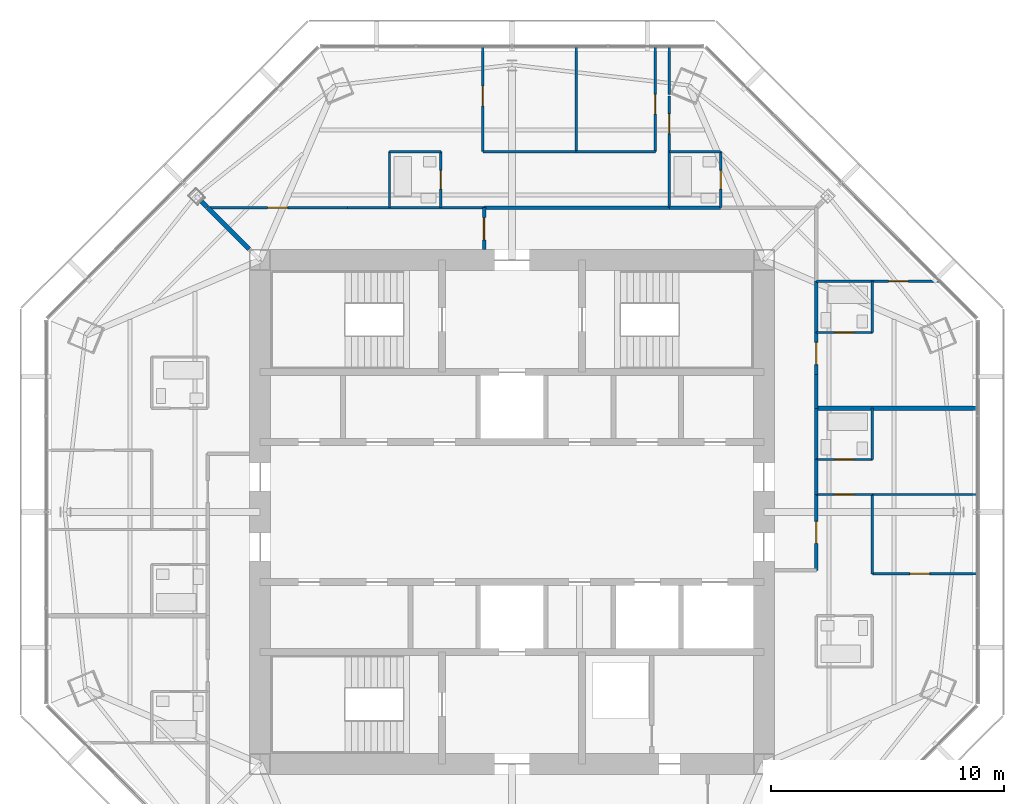
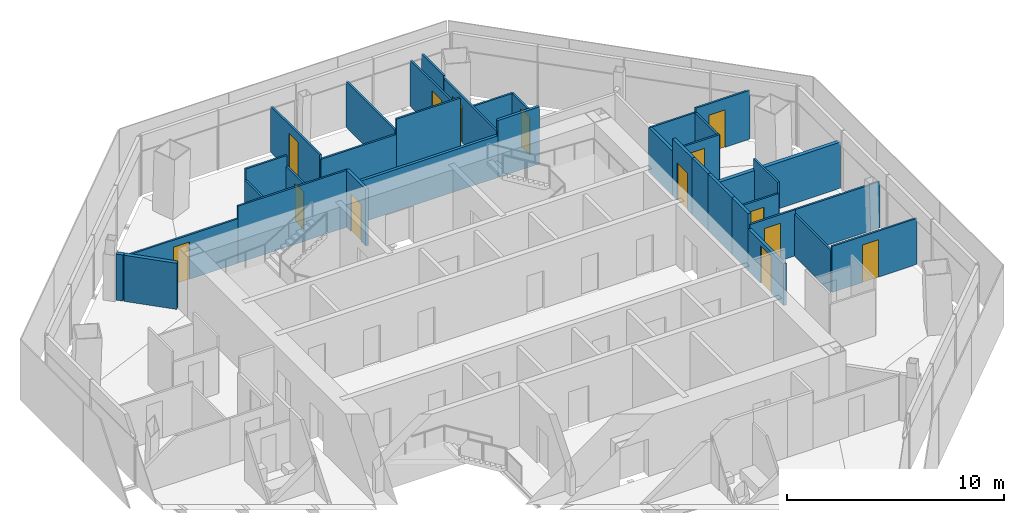
# One storey, part 11 of 14: 36 walls, 14 doors, 14 openings.
"""IFC4 building model written with IfcOpenShell, lengths in metres."""

from ifc_helpers import new_model, si_unit, direction, frame, frame_2d, origin, place, context, subcontext, project, spatial, rectangle, extrude, material, layer, layer_set, type_object, element, fill, save


model = new_model("IFC4")

# Units and contexts
model_context = context("Model", 3, precision=1e-05, world=origin(), true_north=direction((0.0, 1.0)))
body_context = subcontext(model_context, "Body", "Model", "MODEL_VIEW")
ifc_project = project(units=[si_unit("LENGTHUNIT", "METRE"), si_unit("AREAUNIT", "SQUARE_METRE"), si_unit("VOLUMEUNIT", "CUBIC_METRE"), si_unit("PLANEANGLEUNIT", "RADIAN"), si_unit("MASSUNIT", "GRAM", prefix="KILO")], contexts=[model_context])

# Site, building, storey
site_placement = place(None, origin())
site = spatial("IfcSite", under=ifc_project, at=site_placement, CompositionType="ELEMENT")
building_placement = place(site_placement, origin())
building = spatial("IfcBuilding", under=site, at=building_placement, Name="Mashrafa Tower", CompositionType="ELEMENT")
storey_placement = place(building_placement, frame((0.0, 0.0, 284.39990234375)))
storey = spatial("IfcBuildingStorey", under=building, at=storey_placement, Name="L69", CompositionType="ELEMENT", Elevation=284.39990234375)

# Walls
ifc_material_1 = material(Name="Gypsum board on steel studs", Category="steel")
ifc_layer_1 = layer(ifc_material_1, 0.199951171875)
ifc_layer_set_1 = layer_set([ifc_layer_1], Name="Acoustic partition 200 1 hr")
wall_type_1 = type_object("IfcWallType", Name="Acoustic partition 200 1 hr", PredefinedType="PARTITIONING", material=ifc_layer_set_1)
wall_1_placement = place(storey_placement, frame((13.050048828125, 4.449951171875, 0.0), z_axis=(0.0, 0.0, 1.0), x_axis=(1.0, 0.0, 0.0)))
element("IfcWall", 1, at=wall_1_placement, inside=storey, type_object=wall_type_1, Name="Acoustic wall L69-043", PredefinedType="PARTITIONING", context=body_context, shape_type="SweptSolid", body=[
    extrude(rectangle(XDim=6.9013671875, YDim=0.199951171875, at=frame_2d((3.45068359375, 0.0))), origin(), (0.0, 0.0, 1.0), 2.590576171875),
])
wall_2_placement = place(storey_placement, frame((-13.314208984375, 13.314208984375, 0.0), z_axis=(0.0, 0.0, 1.0), x_axis=(0.707106781187, -0.707106781187, 0.0)))
element("IfcWall", 2, at=wall_2_placement, inside=storey, type_object=wall_type_1, Name="Acoustic wall L69-065", PredefinedType="PARTITIONING", context=body_context, shape_type="SweptSolid", body=[
    extrude(rectangle(XDim=0.337646484375, YDim=0.199951171875, at=frame_2d((0.1689453125, 0.0))), origin(), (0.0, 0.0, 1.0), 2.590576171875),
])
wall_3_placement = place(storey_placement, frame((-11.26904296875, 11.26904296875, 0.0), z_axis=(0.0, 0.0, 1.0), x_axis=(-0.707106781187, 0.707106781187, 0.0)))
element("IfcWall", 3, at=wall_3_placement, inside=storey, type_object=wall_type_1, Name="Acoustic wall L69-080", PredefinedType="PARTITIONING", context=body_context, shape_type="SweptSolid", body=[
    extrude(rectangle(XDim=2.52001953125, YDim=0.199951171875, at=frame_2d((1.260009765625, 0.0))), origin(), (0.0, 0.0, 1.0), 2.590576171875),
])
ifc_material_2 = material(Name="Gypsum board on steel studs", Category="steel")
ifc_layer_2 = layer(ifc_material_2, 0.14990234375)
ifc_layer_set_2 = layer_set([ifc_layer_2], Name="Corridor partition 150 1 hr")
wall_type_2 = type_object("IfcWallType", Name="Corridor partition 150 1 hr", PredefinedType="PARTITIONING", material=ifc_layer_set_2)
wall_4_placement = place(storey_placement, frame((13.050048828125, 2.2490234375, 0.0), z_axis=(0.0, 0.0, 1.0), x_axis=(0.0, 1.0, 0.0)))
element("IfcWall", 4, at=wall_4_placement, inside=storey, type_object=wall_type_2, Name="Corridor wall L69-001", PredefinedType="PARTITIONING", context=body_context, shape_type="SweptSolid", body=[
    extrude(rectangle(XDim=2.201904296875, YDim=0.14990234375, at=frame_2d((1.10107421875, 0.0))), origin(), (0.0, 0.0, 1.0), 3.2001953125),
])
wall_5_placement = place(storey_placement, frame((13.050048828125, 0.7490234375, 0.0), z_axis=(0.0, 0.0, 1.0), x_axis=(0.0, 1.0, 0.0)))
element("IfcWall", 5, at=wall_5_placement, inside=storey, type_object=wall_type_2, Name="Corridor wall L69-002", PredefinedType="PARTITIONING", context=body_context, shape_type="SweptSolid", body=[
    extrude(rectangle(XDim=1.501953125, YDim=0.14990234375, at=frame_2d((0.7509765625, 0.0))), origin(), (0.0, 0.0, 1.0), 3.2001953125),
])

# Wall, opening, door
wall_6_placement = place(storey_placement, frame((13.050048828125, -2.5, 0.0), z_axis=(0.0, 0.0, 1.0), x_axis=(0.0, 1.0, 0.0)))
wall_6 = element("IfcWall", 6, at=wall_6_placement, inside=storey, type_object=wall_type_2, Name="Corridor wall L69-004", PredefinedType="PARTITIONING", context=body_context, shape_type="SweptSolid", body=[
    extrude(rectangle(XDim=3.2509765625, YDim=0.14990234375, at=frame_2d((1.62548828125, 0.0))), origin(), (0.0, 0.0, 1.0), 2.349365234375),
])
opening_1_placement = place(wall_6_placement, frame((1.150390625, 0.0, 0.0)))
opening_1 = element("IfcOpeningElement", 7, at=opening_1_placement, cuts=wall_6, Name="Opening 69.007", PredefinedType="OPENING", context=body_context, shape_type="SweptSolid", body=[
    extrude(rectangle(XDim=0.949951171875, YDim=2.10009765625, at=frame_2d((0.47509765625, 1.050048828125))), frame((0.0, 0.0849609375, 0.0), z_axis=(0.0, -1.0, 0.0), x_axis=(1.0, 0.0, 0.0)), (0.0, 0.0, 1.0), 0.169921875),
])
ifc_material_3 = material(Name="Steel door", Category="steel")
door_type_1 = type_object("IfcDoorType", Name="Residence entrance door 950 x 2100 20 min", OperationType="USERDEFINED", PredefinedType="DOOR", material=ifc_material_3)
door_1_placement = place(opening_1_placement, frame((0.949951171875, 0.0, 0.0), z_axis=(0.0, 0.0, 1.0), x_axis=(-1.0, 0.0, 0.0)))
door_1 = element("IfcDoor", 8, at=door_1_placement, inside=storey, type_object=door_type_1, Name="Apartment 6901 Living Room door", OperationType="SINGLE_SWING_LEFT", OverallHeight=2.10009765625, OverallWidth=0.949951171875, PredefinedType="DOOR", context=body_context, shape_type="SweptSolid", body=[
    extrude(rectangle(XDim=0.949951171875, YDim=2.10009765625, at=frame_2d((0.47509765625, 1.050048828125))), frame((0.0, 0.02490234375, 0.0), z_axis=(0.0, -1.0, 0.0), x_axis=(1.0, 0.0, 0.0)), (0.0, 0.0, 1.0), 0.050048828125),
])
fill(opening_1, door_1)

# Walls
wall_7_placement = place(storey_placement, frame((13.050048828125, 7.698974609375, 0.0), z_axis=(0.0, 0.0, 1.0), x_axis=(0.0, 1.0, 0.0)))
element("IfcWall", 9, at=wall_7_placement, inside=storey, type_object=wall_type_2, Name="Corridor wall L69-006", PredefinedType="PARTITIONING", context=body_context, shape_type="SweptSolid", body=[
    extrude(rectangle(XDim=2.201904296875, YDim=0.14990234375, at=frame_2d((1.10107421875, 0.0))), origin(), (0.0, 0.0, 1.0), 2.49658203125),
])
wall_8_placement = place(storey_placement, frame((13.050048828125, 4.448974609375, 0.0), z_axis=(0.0, 0.0, 1.0), x_axis=(0.0, 1.0, 0.0)))
element("IfcWall", 10, at=wall_8_placement, inside=storey, type_object=wall_type_2, Name="Corridor wall L69-007", PredefinedType="PARTITIONING", context=body_context, shape_type="SweptSolid", body=[
    extrude(rectangle(XDim=1.451904296875, YDim=0.14990234375, at=frame_2d((0.72607421875, 0.0))), origin(), (0.0, 0.0, 1.0), 3.2001953125),
])

# Wall, opening, door
wall_9_placement = place(storey_placement, frame((13.050048828125, 5.89892578125, 0.0), z_axis=(0.0, 0.0, 1.0), x_axis=(0.0, 1.0, 0.0)))
wall_9 = element("IfcWall", 11, at=wall_9_placement, inside=storey, type_object=wall_type_2, Name="Corridor wall L69-008", PredefinedType="PARTITIONING", context=body_context, shape_type="SweptSolid", body=[
    extrude(rectangle(XDim=1.802001953125, YDim=0.14990234375, at=frame_2d((0.90087890625, 0.0))), origin(), (0.0, 0.0, 1.0), 3.2001953125),
])
opening_2_placement = place(wall_9_placement, frame((0.426025390625, 0.0, 0.0)))
opening_2 = element("IfcOpeningElement", 12, at=opening_2_placement, cuts=wall_9, Name="Opening 69.010", PredefinedType="OPENING", context=body_context, shape_type="SweptSolid", body=[
    extrude(rectangle(XDim=0.949951171875, YDim=2.10009765625, at=frame_2d((0.47509765625, 1.050048828125))), frame((0.0, 0.0849609375, 0.0), z_axis=(0.0, -1.0, 0.0), x_axis=(1.0, 0.0, 0.0)), (0.0, 0.0, 1.0), 0.169921875),
])
door_2_placement = place(opening_2_placement, frame((0.949951171875, 0.0, 0.0), z_axis=(0.0, 0.0, 1.0), x_axis=(-1.0, 0.0, 0.0)))
door_2 = element("IfcDoor", 13, at=door_2_placement, inside=storey, type_object=door_type_1, Name="Apartment 6902 Living Room door", OperationType="SINGLE_SWING_RIGHT", OverallHeight=2.10009765625, OverallWidth=0.949951171875, PredefinedType="DOOR", context=body_context, shape_type="SweptSolid", body=[
    extrude(rectangle(XDim=0.949951171875, YDim=2.10009765625, at=frame_2d((0.47509765625, 1.050048828125))), frame((0.0, 0.02490234375, 0.0), z_axis=(0.0, -1.0, 0.0), x_axis=(1.0, 0.0, 0.0)), (0.0, 0.0, 1.0), 0.050048828125),
])
fill(opening_2, door_2)

# Walls
wall_10_placement = place(storey_placement, frame((8.950927734375, 13.050048828125, 0.0), z_axis=(0.0, 0.0, 1.0), x_axis=(-1.0, 0.0, 0.0)))
element("IfcWall", 14, at=wall_10_placement, inside=storey, type_object=wall_type_2, Name="Corridor wall L69-009", PredefinedType="PARTITIONING", context=body_context, shape_type="SweptSolid", body=[
    extrude(rectangle(XDim=2.201904296875, YDim=0.14990234375, at=frame_2d((1.10107421875, 0.0))), origin(), (0.0, 0.0, 1.0), 3.2001953125),
])
wall_11_placement = place(storey_placement, frame((6.7509765625, 13.050048828125, 0.0), z_axis=(0.0, 0.0, 1.0), x_axis=(-1.0, 0.0, 0.0)))
element("IfcWall", 15, at=wall_11_placement, inside=storey, type_object=wall_type_2, Name="Corridor wall L69-011", PredefinedType="PARTITIONING", context=body_context, shape_type="SweptSolid", body=[
    extrude(rectangle(XDim=7.950927734375, YDim=0.14990234375, at=frame_2d((3.9755859375, 0.0))), origin(), (0.0, 0.0, 1.0), 2.349365234375),
])

# Wall, opening, door
wall_12_placement = place(storey_placement, frame((-1.199951171875, 13.050048828125, 0.0), z_axis=(0.0, 0.0, 1.0), x_axis=(0.0, -1.0, 0.0)))
wall_12 = element("IfcWall", 16, at=wall_12_placement, inside=storey, type_object=wall_type_2, Name="Corridor wall L69-012", PredefinedType="PARTITIONING", context=body_context, shape_type="SweptSolid", body=[
    extrude(rectangle(XDim=1.800048828125, YDim=0.14990234375, at=frame_2d((0.89990234375, 0.0))), origin(), (0.0, 0.0, 1.0), 3.2001953125),
])
opening_3_placement = place(wall_12_placement, frame((0.425048828125, 0.0, 0.0)))
opening_3 = element("IfcOpeningElement", 17, at=opening_3_placement, cuts=wall_12, Name="Opening 69.030", PredefinedType="OPENING", context=body_context, shape_type="SweptSolid", body=[
    extrude(rectangle(XDim=0.949951171875, YDim=2.10009765625, at=frame_2d((0.47509765625, 1.050048828125))), frame((0.0, 0.0849609375, 0.0), z_axis=(0.0, -1.0, 0.0), x_axis=(1.0, 0.0, 0.0)), (0.0, 0.0, 1.0), 0.169921875),
])
door_3_placement = place(opening_3_placement, origin())
door_3 = element("IfcDoor", 18, at=door_3_placement, inside=storey, type_object=door_type_1, Name="Apartment 6903 Entrance Hall door", OperationType="SINGLE_SWING_LEFT", OverallHeight=2.10009765625, OverallWidth=0.949951171875, PredefinedType="DOOR", context=body_context, shape_type="SweptSolid", body=[
    extrude(rectangle(XDim=0.949951171875, YDim=2.10009765625, at=frame_2d((0.47509765625, 1.050048828125))), frame((0.0, 0.02490234375, 0.0), z_axis=(0.0, -1.0, 0.0), x_axis=(1.0, 0.0, 0.0)), (0.0, 0.0, 1.0), 0.050048828125),
])
fill(opening_3, door_3)

# Walls
ifc_material_4 = material(Name="Gypsum board on steel studs", Category="steel")
ifc_layer_3 = layer(ifc_material_4, 0.10009765625)
ifc_layer_set_3 = layer_set([ifc_layer_3], Name="Partition 100")
wall_type_3 = type_object("IfcWallType", Name="Partition 100", PredefinedType="PARTITIONING", material=ifc_layer_set_3)
wall_13_placement = place(storey_placement, frame((2.75, 19.951416015625, 0.0), z_axis=(0.0, 0.0, 1.0), x_axis=(0.0, -1.0, 0.0)))
element("IfcWall", 19, at=wall_13_placement, inside=storey, type_object=wall_type_3, Name="Partition wall L69-028", PredefinedType="PARTITIONING", context=body_context, shape_type="SweptSolid", body=[
    extrude(rectangle(XDim=4.50146484375, YDim=0.10009765625, at=frame_2d((2.250732421875, 0.0))), origin(), (0.0, 0.0, 1.0), 2.590576171875),
])
wall_14_placement = place(storey_placement, frame((2.75, 15.449951171875, 0.0), z_axis=(0.0, 0.0, 1.0), x_axis=(1.0, 0.0, 0.0)))
element("IfcWall", 20, at=wall_14_placement, inside=storey, type_object=wall_type_3, Name="Partition wall L69-029", PredefinedType="PARTITIONING", context=body_context, shape_type="SweptSolid", body=[
    extrude(rectangle(XDim=3.39990234375, YDim=0.10009765625, at=frame_2d((1.699951171875, 0.0))), origin(), (0.0, 0.0, 1.0), 3.2001953125),
])

# Wall, opening, door
wall_15_placement = place(storey_placement, frame((6.14990234375, 15.449951171875, 0.0), z_axis=(0.0, 0.0, 1.0), x_axis=(0.0, 1.0, 0.0)))
wall_15 = element("IfcWall", 21, at=wall_15_placement, inside=storey, type_object=wall_type_3, Name="Partition wall L69-030", PredefinedType="PARTITIONING", context=body_context, shape_type="SweptSolid", body=[
    extrude(rectangle(XDim=4.50341796875, YDim=0.10009765625, at=frame_2d((2.251708984375, 0.0))), origin(), (0.0, 0.0, 1.0), 2.590576171875),
])
opening_4_placement = place(wall_15_placement, frame((1.609619140625, 0.0, 0.0)))
opening_4 = element("IfcOpeningElement", 22, at=opening_4_placement, cuts=wall_15, Name="Opening 69.001", PredefinedType="OPENING", context=body_context, shape_type="SweptSolid", body=[
    extrude(rectangle(XDim=0.85009765625, YDim=2.10009765625, at=frame_2d((0.425048828125, 1.050048828125))), frame((0.0, 0.06005859375, 0.0), z_axis=(0.0, -1.0, 0.0), x_axis=(1.0, 0.0, 0.0)), (0.0, 0.0, 1.0), 0.1201171875),
])
ifc_material_5 = material(Name="Timber door", Category="wood")
door_type_2 = type_object("IfcDoorType", Name="Bedroom door 850 x 2100", OperationType="USERDEFINED", PredefinedType="DOOR", material=ifc_material_5)
door_4_placement = place(opening_4_placement, origin())
door_4 = element("IfcDoor", 23, at=door_4_placement, inside=storey, type_object=door_type_2, Name="Apartment 6903 Dining Room door", OperationType="SINGLE_SWING_LEFT", OverallHeight=2.10009765625, OverallWidth=0.85009765625, PredefinedType="DOOR", context=body_context, shape_type="SweptSolid", body=[
    extrude(rectangle(XDim=0.85009765625, YDim=2.10009765625, at=frame_2d((0.425048828125, 1.050048828125))), frame((0.0, 0.02490234375, 0.0), z_axis=(0.0, -1.0, 0.0), x_axis=(1.0, 0.0, 0.0)), (0.0, 0.0, 1.0), 0.050048828125),
])
fill(opening_4, door_4)

# Walls
wall_16_placement = place(storey_placement, frame((19.951416015625, 0.75, 0.0), z_axis=(0.0, 0.0, 1.0), x_axis=(-1.0, 0.0, 0.0)))
element("IfcWall", 24, at=wall_16_placement, inside=storey, type_object=wall_type_3, Name="Partition wall L69-038", PredefinedType="PARTITIONING", context=body_context, shape_type="SweptSolid", body=[
    extrude(rectangle(XDim=4.50146484375, YDim=0.10009765625, at=frame_2d((2.250732421875, 0.0))), origin(), (0.0, 0.0, 1.0), 2.590576171875),
])
wall_17_placement = place(storey_placement, frame((15.449951171875, 0.75, 0.0), z_axis=(0.0, 0.0, 1.0), x_axis=(0.0, -1.0, 0.0)))
element("IfcWall", 25, at=wall_17_placement, inside=storey, type_object=wall_type_3, Name="Partition wall L69-039", PredefinedType="PARTITIONING", context=body_context, shape_type="SweptSolid", body=[
    extrude(rectangle(XDim=3.39990234375, YDim=0.10009765625, at=frame_2d((1.699951171875, 0.0))), origin(), (0.0, 0.0, 1.0), 2.349365234375),
])

# Wall, opening, door
wall_18_placement = place(storey_placement, frame((15.449951171875, -2.64990234375, 0.0), z_axis=(0.0, 0.0, 1.0), x_axis=(1.0, 0.0, 0.0)))
wall_18 = element("IfcWall", 26, at=wall_18_placement, inside=storey, type_object=wall_type_3, Name="Partition wall L69-040", PredefinedType="PARTITIONING", context=body_context, shape_type="SweptSolid", body=[
    extrude(rectangle(XDim=4.50341796875, YDim=0.10009765625, at=frame_2d((2.251708984375, 0.0))), origin(), (0.0, 0.0, 1.0), 2.590576171875),
])
opening_5_placement = place(wall_18_placement, frame((1.609619140625, 0.0, 0.0)))
opening_5 = element("IfcOpeningElement", 27, at=opening_5_placement, cuts=wall_18, Name="Opening 69.004", PredefinedType="OPENING", context=body_context, shape_type="SweptSolid", body=[
    extrude(rectangle(XDim=0.85009765625, YDim=2.10009765625, at=frame_2d((0.425048828125, 1.050048828125))), frame((0.0, 0.06005859375, 0.0), z_axis=(0.0, -1.0, 0.0), x_axis=(1.0, 0.0, 0.0)), (0.0, 0.0, 1.0), 0.1201171875),
])
door_5_placement = place(opening_5_placement, origin())
door_5 = element("IfcDoor", 28, at=door_5_placement, inside=storey, type_object=door_type_2, Name="Apartment 6901 Bedroom 1 door", OperationType="SINGLE_SWING_LEFT", OverallHeight=2.10009765625, OverallWidth=0.85009765625, PredefinedType="DOOR", context=body_context, shape_type="SweptSolid", body=[
    extrude(rectangle(XDim=0.85009765625, YDim=2.10009765625, at=frame_2d((0.425048828125, 1.050048828125))), frame((0.0, 0.02490234375, 0.0), z_axis=(0.0, -1.0, 0.0), x_axis=(1.0, 0.0, 0.0)), (0.0, 0.0, 1.0), 0.050048828125),
])
fill(opening_5, door_5)

wall_19_placement = place(storey_placement, frame((13.050048828125, 2.25, 0.0), z_axis=(0.0, 0.0, 1.0), x_axis=(1.0, 0.0, 0.0)))
wall_19 = element("IfcWall", 29, at=wall_19_placement, inside=storey, type_object=wall_type_3, Name="Partition wall L69-041", PredefinedType="PARTITIONING", context=body_context, shape_type="SweptSolid", body=[
    extrude(rectangle(XDim=2.39990234375, YDim=0.10009765625, at=frame_2d((1.199951171875, 0.0))), origin(), (0.0, 0.0, 1.0), 2.590576171875),
])
opening_6_placement = place(wall_19_placement, frame((0.800048828125, 0.0, 0.0)))
opening_6 = element("IfcOpeningElement", 30, at=opening_6_placement, cuts=wall_19, Name="Opening 69.005", PredefinedType="OPENING", context=body_context, shape_type="SweptSolid", body=[
    extrude(rectangle(XDim=0.800048828125, YDim=2.10009765625, at=frame_2d((0.39990234375, 1.050048828125))), frame((0.0, 0.06005859375, 0.0), z_axis=(0.0, -1.0, 0.0), x_axis=(1.0, 0.0, 0.0)), (0.0, 0.0, 1.0), 0.1201171875),
])
ifc_material_6 = material(Name="Timber door", Category="wood")
door_type_3 = type_object("IfcDoorType", Name="Bathroom door 800 x 2100", OperationType="USERDEFINED", PredefinedType="DOOR", material=ifc_material_6)
door_6_placement = place(opening_6_placement, origin())
door_6 = element("IfcDoor", 31, at=door_6_placement, inside=storey, type_object=door_type_3, Name="Apartment 6901 En-suite Bathroom door", OperationType="SINGLE_SWING_RIGHT", OverallHeight=2.10009765625, OverallWidth=0.800048828125, PredefinedType="DOOR", context=body_context, shape_type="SweptSolid", body=[
    extrude(rectangle(XDim=0.800048828125, YDim=2.10009765625, at=frame_2d((0.39990234375, 1.050048828125))), frame((0.0, 0.02490234375, 0.0), z_axis=(0.0, -1.0, 0.0), x_axis=(1.0, 0.0, 0.0)), (0.0, 0.0, 1.0), 0.050048828125),
])
fill(opening_6, door_6)

# Wall
wall_20_placement = place(storey_placement, frame((15.449951171875, 2.25, 0.0), z_axis=(0.0, 0.0, 1.0), x_axis=(0.0, 1.0, 0.0)))
element("IfcWall", 32, at=wall_20_placement, inside=storey, type_object=wall_type_3, Name="Partition wall L69-042", PredefinedType="PARTITIONING", context=body_context, shape_type="SweptSolid", body=[
    extrude(rectangle(XDim=2.199951171875, YDim=0.10009765625, at=frame_2d((1.10009765625, 0.0))), origin(), (0.0, 0.0, 1.0), 3.2001953125),
])

# Wall, opening, door
wall_21_placement = place(storey_placement, frame((13.050048828125, 0.75, 0.0), z_axis=(0.0, 0.0, 1.0), x_axis=(1.0, 0.0, 0.0)))
wall_21 = element("IfcWall", 33, at=wall_21_placement, inside=storey, type_object=wall_type_3, Name="Partition wall L69-044", PredefinedType="PARTITIONING", context=body_context, shape_type="SweptSolid", body=[
    extrude(rectangle(XDim=2.40087890625, YDim=0.10009765625, at=frame_2d((1.200439453125, 0.0))), origin(), (0.0, 0.0, 1.0), 2.590576171875),
])
opening_7_placement = place(wall_21_placement, frame((0.775390625, 0.0, 0.0)))
opening_7 = element("IfcOpeningElement", 34, at=opening_7_placement, cuts=wall_21, Name="Opening 69.006", PredefinedType="OPENING", context=body_context, shape_type="SweptSolid", body=[
    extrude(rectangle(XDim=0.85009765625, YDim=2.10009765625, at=frame_2d((0.425048828125, 1.050048828125))), frame((0.0, 0.06005859375, 0.0), z_axis=(0.0, -1.0, 0.0), x_axis=(1.0, 0.0, 0.0)), (0.0, 0.0, 1.0), 0.1201171875),
])
door_7_placement = place(opening_7_placement, origin())
door_7 = element("IfcDoor", 35, at=door_7_placement, inside=storey, type_object=door_type_2, Name="Apartment 6901 Bedroom 2 door", OperationType="SINGLE_SWING_LEFT", OverallHeight=2.10009765625, OverallWidth=0.85009765625, PredefinedType="DOOR", context=body_context, shape_type="SweptSolid", body=[
    extrude(rectangle(XDim=0.85009765625, YDim=2.10009765625, at=frame_2d((0.425048828125, 1.050048828125))), frame((0.0, 0.02490234375, 0.0), z_axis=(0.0, -1.0, 0.0), x_axis=(1.0, 0.0, 0.0)), (0.0, 0.0, 1.0), 0.050048828125),
])
fill(opening_7, door_7)

# Wall
wall_22_placement = place(storey_placement, frame((13.050048828125, 9.89990234375, 0.0), z_axis=(0.0, 0.0, 1.0), x_axis=(1.0, 0.0, 0.0)))
element("IfcWall", 36, at=wall_22_placement, inside=storey, type_object=wall_type_3, Name="Partition wall L69-048", PredefinedType="PARTITIONING", context=body_context, shape_type="SweptSolid", body=[
    extrude(rectangle(XDim=2.40087890625, YDim=0.10009765625, at=frame_2d((1.200439453125, 0.0))), origin(), (0.0, 0.0, 1.0), 2.49658203125),
])

# Wall, opening, door
wall_23_placement = place(storey_placement, frame((15.448974609375, 9.89990234375, 0.0), z_axis=(0.0, 0.0, 1.0), x_axis=(1.0, 0.0, 0.0)))
wall_23 = element("IfcWall", 37, at=wall_23_placement, inside=storey, type_object=wall_type_3, Name="Partition wall L69-049", PredefinedType="PARTITIONING", context=body_context, shape_type="SweptSolid", body=[
    extrude(rectangle(XDim=2.870361328125, YDim=0.10009765625, at=frame_2d((1.43505859375, 0.0))), origin(), (0.0, 0.0, 1.0), 2.740478515625),
])
opening_8_placement = place(wall_23_placement, frame((0.702880859375, 0.0, 0.0)))
opening_8 = element("IfcOpeningElement", 38, at=opening_8_placement, cuts=wall_23, Name="Opening 69.008", PredefinedType="OPENING", context=body_context, shape_type="SweptSolid", body=[
    extrude(rectangle(XDim=0.85009765625, YDim=2.10009765625, at=frame_2d((0.425048828125, 1.050048828125))), frame((0.0, 0.06005859375, 0.0), z_axis=(0.0, -1.0, 0.0), x_axis=(1.0, 0.0, 0.0)), (0.0, 0.0, 1.0), 0.1201171875),
])
door_8_placement = place(opening_8_placement, origin())
door_8 = element("IfcDoor", 39, at=door_8_placement, inside=storey, type_object=door_type_2, Name="Apartment 6902 Bedroom 1 door", OperationType="SINGLE_SWING_RIGHT", OverallHeight=2.10009765625, OverallWidth=0.85009765625, PredefinedType="DOOR", context=body_context, shape_type="SweptSolid", body=[
    extrude(rectangle(XDim=0.85009765625, YDim=2.10009765625, at=frame_2d((0.425048828125, 1.050048828125))), frame((0.0, 0.02490234375, 0.0), z_axis=(0.0, -1.0, 0.0), x_axis=(1.0, 0.0, 0.0)), (0.0, 0.0, 1.0), 0.050048828125),
])
fill(opening_8, door_8)

wall_24_placement = place(storey_placement, frame((13.050048828125, 7.699951171875, 0.0), z_axis=(0.0, 0.0, 1.0), x_axis=(1.0, 0.0, 0.0)))
wall_24 = element("IfcWall", 40, at=wall_24_placement, inside=storey, type_object=wall_type_3, Name="Partition wall L69-051", PredefinedType="PARTITIONING", context=body_context, shape_type="SweptSolid", body=[
    extrude(rectangle(XDim=2.39990234375, YDim=0.10009765625, at=frame_2d((1.199951171875, 0.0))), origin(), (0.0, 0.0, 1.0), 2.590576171875),
])
opening_9_placement = place(wall_24_placement, frame((0.800048828125, 0.0, 0.0)))
opening_9 = element("IfcOpeningElement", 41, at=opening_9_placement, cuts=wall_24, Name="Opening 69.009", PredefinedType="OPENING", context=body_context, shape_type="SweptSolid", body=[
    extrude(rectangle(XDim=0.800048828125, YDim=2.10009765625, at=frame_2d((0.39990234375, 1.050048828125))), frame((0.0, 0.06005859375, 0.0), z_axis=(0.0, -1.0, 0.0), x_axis=(1.0, 0.0, 0.0)), (0.0, 0.0, 1.0), 0.1201171875),
])
door_9_placement = place(opening_9_placement, origin())
door_9 = element("IfcDoor", 42, at=door_9_placement, inside=storey, type_object=door_type_3, Name="Apartment 6902 Bathroom door", OperationType="SINGLE_SWING_RIGHT", OverallHeight=2.10009765625, OverallWidth=0.800048828125, PredefinedType="DOOR", context=body_context, shape_type="SweptSolid", body=[
    extrude(rectangle(XDim=0.800048828125, YDim=2.10009765625, at=frame_2d((0.39990234375, 1.050048828125))), frame((0.0, 0.02490234375, 0.0), z_axis=(0.0, -1.0, 0.0), x_axis=(1.0, 0.0, 0.0)), (0.0, 0.0, 1.0), 0.050048828125),
])
fill(opening_9, door_9)

# Walls
wall_25_placement = place(storey_placement, frame((15.449951171875, 7.699951171875, 0.0), z_axis=(0.0, 0.0, 1.0), x_axis=(0.0, 1.0, 0.0)))
element("IfcWall", 43, at=wall_25_placement, inside=storey, type_object=wall_type_3, Name="Partition wall L69-052", PredefinedType="PARTITIONING", context=body_context, shape_type="SweptSolid", body=[
    extrude(rectangle(XDim=2.199951171875, YDim=0.10009765625, at=frame_2d((1.10009765625, 0.0))), origin(), (0.0, 0.0, 1.0), 2.49658203125),
])
wall_26_placement = place(storey_placement, frame((-5.25, 13.050048828125, 0.0), z_axis=(0.0, 0.0, 1.0), x_axis=(0.0, 1.0, 0.0)))
element("IfcWall", 44, at=wall_26_placement, inside=storey, type_object=wall_type_3, Name="Partition wall L69-053", PredefinedType="PARTITIONING", context=body_context, shape_type="SweptSolid", body=[
    extrude(rectangle(XDim=2.39990234375, YDim=0.10009765625, at=frame_2d((1.199951171875, 0.0))), origin(), (0.0, 0.0, 1.0), 2.590576171875),
])
wall_27_placement = place(storey_placement, frame((-7.050048828125, 13.050048828125, 0.0), z_axis=(0.0, 0.0, 1.0), x_axis=(1.0, 0.0, 0.0)))
element("IfcWall", 45, at=wall_27_placement, inside=storey, type_object=wall_type_3, Name="Partition wall L69-054", PredefinedType="PARTITIONING", context=body_context, shape_type="SweptSolid", body=[
    extrude(rectangle(XDim=5.85107421875, YDim=0.10009765625, at=frame_2d((2.925537109375, 0.0))), origin(), (0.0, 0.0, 1.0), 3.2001953125),
])

# Wall, opening, door
wall_28_placement = place(storey_placement, frame((-3.050048828125, 13.050048828125, 0.0), z_axis=(0.0, 0.0, 1.0), x_axis=(0.0, 1.0, 0.0)))
wall_28 = element("IfcWall", 46, at=wall_28_placement, inside=storey, type_object=wall_type_3, Name="Partition wall L69-055", PredefinedType="PARTITIONING", context=body_context, shape_type="SweptSolid", body=[
    extrude(rectangle(XDim=2.39990234375, YDim=0.10009765625, at=frame_2d((1.199951171875, 0.0))), origin(), (0.0, 0.0, 1.0), 2.590576171875),
])
opening_10_placement = place(wall_28_placement, frame((0.800048828125, 0.0, 0.0)))
opening_10 = element("IfcOpeningElement", 47, at=opening_10_placement, cuts=wall_28, Name="Opening 69.011", PredefinedType="OPENING", context=body_context, shape_type="SweptSolid", body=[
    extrude(rectangle(XDim=0.800048828125, YDim=2.10009765625, at=frame_2d((0.39990234375, 1.050048828125))), frame((0.0, 0.06005859375, 0.0), z_axis=(0.0, -1.0, 0.0), x_axis=(1.0, 0.0, 0.0)), (0.0, 0.0, 1.0), 0.1201171875),
])
door_10_placement = place(opening_10_placement, origin())
door_10 = element("IfcDoor", 48, at=door_10_placement, inside=storey, type_object=door_type_3, Name="Apartment 6903 Bathroom door", OperationType="SINGLE_SWING_RIGHT", OverallHeight=2.10009765625, OverallWidth=0.800048828125, PredefinedType="DOOR", context=body_context, shape_type="SweptSolid", body=[
    extrude(rectangle(XDim=0.800048828125, YDim=2.10009765625, at=frame_2d((0.39990234375, 1.050048828125))), frame((0.0, 0.02490234375, 0.0), z_axis=(0.0, -1.0, 0.0), x_axis=(1.0, 0.0, 0.0)), (0.0, 0.0, 1.0), 0.050048828125),
])
fill(opening_10, door_10)

# Wall
wall_29_placement = place(storey_placement, frame((-3.050048828125, 15.449951171875, 0.0), z_axis=(0.0, 0.0, 1.0), x_axis=(-1.0, 0.0, 0.0)))
element("IfcWall", 49, at=wall_29_placement, inside=storey, type_object=wall_type_3, Name="Partition wall L69-056", PredefinedType="PARTITIONING", context=body_context, shape_type="SweptSolid", body=[
    extrude(rectangle(XDim=2.199951171875, YDim=0.10009765625, at=frame_2d((1.10009765625, 0.0))), origin(), (0.0, 0.0, 1.0), 3.2001953125),
])

# Wall, opening, door
wall_30_placement = place(storey_placement, frame((-1.25, 19.953369140625, 0.0), z_axis=(0.0, 0.0, 1.0), x_axis=(0.0, -1.0, 0.0)))
wall_30 = element("IfcWall", 50, at=wall_30_placement, inside=storey, type_object=wall_type_3, Name="Partition wall L69-058", PredefinedType="PARTITIONING", context=body_context, shape_type="SweptSolid", body=[
    extrude(rectangle(XDim=4.50341796875, YDim=0.10009765625, at=frame_2d((2.251708984375, 0.0))), origin(), (0.0, 0.0, 1.0), 2.590576171875),
])
opening_11_placement = place(wall_30_placement, frame((1.688720703125, 0.0, 0.0)))
opening_11 = element("IfcOpeningElement", 51, at=opening_11_placement, cuts=wall_30, Name="Opening 69.012", PredefinedType="OPENING", context=body_context, shape_type="SweptSolid", body=[
    extrude(rectangle(XDim=0.85009765625, YDim=2.10009765625, at=frame_2d((0.425048828125, 1.050048828125))), frame((0.0, 0.06005859375, 0.0), z_axis=(0.0, -1.0, 0.0), x_axis=(1.0, 0.0, 0.0)), (0.0, 0.0, 1.0), 0.1201171875),
])
door_11_placement = place(opening_11_placement, origin())
door_11 = element("IfcDoor", 52, at=door_11_placement, inside=storey, type_object=door_type_2, Name="Apartment 6903 Bedroom 1 door", OperationType="SINGLE_SWING_LEFT", OverallHeight=2.10009765625, OverallWidth=0.85009765625, PredefinedType="DOOR", context=body_context, shape_type="SweptSolid", body=[
    extrude(rectangle(XDim=0.85009765625, YDim=2.10009765625, at=frame_2d((0.425048828125, 1.050048828125))), frame((0.0, 0.02490234375, 0.0), z_axis=(0.0, -1.0, 0.0), x_axis=(1.0, 0.0, 0.0)), (0.0, 0.0, 1.0), 0.050048828125),
])
fill(opening_11, door_11)

# Wall
wall_31_placement = place(storey_placement, frame((-1.25, 15.449951171875, 0.0), z_axis=(0.0, 0.0, 1.0), x_axis=(1.0, 0.0, 0.0)))
element("IfcWall", 53, at=wall_31_placement, inside=storey, type_object=wall_type_3, Name="Partition wall L69-059", PredefinedType="PARTITIONING", context=body_context, shape_type="SweptSolid", body=[
    extrude(rectangle(XDim=4.0, YDim=0.10009765625, at=frame_2d((2.0, 0.0))), origin(), (0.0, 0.0, 1.0), 2.349365234375),
])

# Wall, opening, door
wall_32_placement = place(storey_placement, frame((8.949951171875, 13.050048828125, 0.0), z_axis=(0.0, 0.0, 1.0), x_axis=(0.0, 1.0, 0.0)))
wall_32 = element("IfcWall", 54, at=wall_32_placement, inside=storey, type_object=wall_type_3, Name="Partition wall L69-060", PredefinedType="PARTITIONING", context=body_context, shape_type="SweptSolid", body=[
    extrude(rectangle(XDim=2.39990234375, YDim=0.10009765625, at=frame_2d((1.199951171875, 0.0))), origin(), (0.0, 0.0, 1.0), 2.49658203125),
])
opening_12_placement = place(wall_32_placement, frame((0.800048828125, 0.0, 0.0)))
opening_12 = element("IfcOpeningElement", 55, at=opening_12_placement, cuts=wall_32, Name="Opening 69.013", PredefinedType="OPENING", context=body_context, shape_type="SweptSolid", body=[
    extrude(rectangle(XDim=0.800048828125, YDim=2.10009765625, at=frame_2d((0.39990234375, 1.050048828125))), frame((0.0, 0.06005859375, 0.0), z_axis=(0.0, -1.0, 0.0), x_axis=(1.0, 0.0, 0.0)), (0.0, 0.0, 1.0), 0.1201171875),
])
door_12_placement = place(opening_12_placement, origin())
door_12 = element("IfcDoor", 56, at=door_12_placement, inside=storey, type_object=door_type_3, Name="Apartment 6903 En-suite Bathroom door", OperationType="SINGLE_SWING_LEFT", OverallHeight=2.10009765625, OverallWidth=0.800048828125, PredefinedType="DOOR", context=body_context, shape_type="SweptSolid", body=[
    extrude(rectangle(XDim=0.800048828125, YDim=2.10009765625, at=frame_2d((0.39990234375, 1.050048828125))), frame((0.0, 0.02490234375, 0.0), z_axis=(0.0, -1.0, 0.0), x_axis=(1.0, 0.0, 0.0)), (0.0, 0.0, 1.0), 0.050048828125),
])
fill(opening_12, door_12)

# Wall
wall_33_placement = place(storey_placement, frame((8.949951171875, 15.449951171875, 0.0), z_axis=(0.0, 0.0, 1.0), x_axis=(-1.0, 0.0, 0.0)))
element("IfcWall", 57, at=wall_33_placement, inside=storey, type_object=wall_type_3, Name="Partition wall L69-061", PredefinedType="PARTITIONING", context=body_context, shape_type="SweptSolid", body=[
    extrude(rectangle(XDim=2.199951171875, YDim=0.10009765625, at=frame_2d((1.10009765625, 0.0))), origin(), (0.0, 0.0, 1.0), 2.49658203125),
])

# Wall, opening, door
wall_34_placement = place(storey_placement, frame((6.75, 13.050048828125, 0.0), z_axis=(0.0, 0.0, 1.0), x_axis=(0.0, 1.0, 0.0)))
wall_34 = element("IfcWall", 58, at=wall_34_placement, inside=storey, type_object=wall_type_3, Name="Partition wall L69-062", PredefinedType="PARTITIONING", context=body_context, shape_type="SweptSolid", body=[
    extrude(rectangle(XDim=4.800537109375, YDim=0.10009765625, at=frame_2d((2.400390625, 0.0))), origin(), (0.0, 0.0, 1.0), 2.590576171875),
])
opening_13_placement = place(wall_34_placement, frame((3.17529296875, 0.0, 0.0)))
opening_13 = element("IfcOpeningElement", 59, at=opening_13_placement, cuts=wall_34, Name="Opening 69.014", PredefinedType="OPENING", context=body_context, shape_type="SweptSolid", body=[
    extrude(rectangle(XDim=0.85009765625, YDim=2.10009765625, at=frame_2d((0.425048828125, 1.050048828125))), frame((0.0, 0.06005859375, 0.0), z_axis=(0.0, -1.0, 0.0), x_axis=(1.0, 0.0, 0.0)), (0.0, 0.0, 1.0), 0.1201171875),
])
door_13_placement = place(opening_13_placement, frame((0.85009765625, 0.0, 0.0), z_axis=(0.0, 0.0, 1.0), x_axis=(-1.0, 0.0, 0.0)))
door_13 = element("IfcDoor", 60, at=door_13_placement, inside=storey, type_object=door_type_2, Name="Apartment 6903 Bedroom 2 door", OperationType="SINGLE_SWING_RIGHT", OverallHeight=2.10009765625, OverallWidth=0.85009765625, PredefinedType="DOOR", context=body_context, shape_type="SweptSolid", body=[
    extrude(rectangle(XDim=0.85009765625, YDim=2.10009765625, at=frame_2d((0.425048828125, 1.050048828125))), frame((0.0, 0.02490234375, 0.0), z_axis=(0.0, -1.0, 0.0), x_axis=(1.0, 0.0, 0.0)), (0.0, 0.0, 1.0), 0.050048828125),
])
fill(opening_13, door_13)

# Wall
wall_35_placement = place(storey_placement, frame((6.75, 19.951416015625, 0.0), z_axis=(0.0, 0.0, 1.0), x_axis=(0.0, -1.0, 0.0)))
element("IfcWall", 61, at=wall_35_placement, inside=storey, type_object=wall_type_3, Name="Partition wall L69-063", PredefinedType="PARTITIONING", context=body_context, shape_type="SweptSolid", body=[
    extrude(rectangle(XDim=2.037841796875, YDim=0.10009765625, at=frame_2d((1.01904296875, 0.0))), origin(), (0.0, 0.0, 1.0), 2.740478515625),
])

# Wall, opening, door
wall_36_placement = place(storey_placement, frame((-13.050048828125, 13.050048828125, 0.0), z_axis=(0.0, 0.0, 1.0), x_axis=(1.0, 0.0, 0.0)))
wall_36 = element("IfcWall", 62, at=wall_36_placement, inside=storey, type_object=wall_type_3, Name="Partition wall L69-066", PredefinedType="PARTITIONING", context=body_context, shape_type="SweptSolid", body=[
    extrude(rectangle(XDim=6.0, YDim=0.10009765625, at=frame_2d((3.0, 0.0))), origin(), (0.0, 0.0, 1.0), 2.49658203125),
])
opening_14_placement = place(wall_36_placement, frame((2.574951171875, 0.0, 0.0)))
opening_14 = element("IfcOpeningElement", 63, at=opening_14_placement, cuts=wall_36, Name="Opening 69.015", PredefinedType="OPENING", context=body_context, shape_type="SweptSolid", body=[
    extrude(rectangle(XDim=0.85009765625, YDim=2.10009765625, at=frame_2d((0.425048828125, 1.050048828125))), frame((0.0, 0.06005859375, 0.0), z_axis=(0.0, -1.0, 0.0), x_axis=(1.0, 0.0, 0.0)), (0.0, 0.0, 1.0), 0.1201171875),
])
door_14_placement = place(opening_14_placement, origin())
door_14 = element("IfcDoor", 64, at=door_14_placement, inside=storey, type_object=door_type_2, Name="Apartment 6903 Living Room door", OperationType="SINGLE_SWING_LEFT", OverallHeight=2.10009765625, OverallWidth=0.85009765625, PredefinedType="DOOR", context=body_context, shape_type="SweptSolid", body=[
    extrude(rectangle(XDim=0.85009765625, YDim=2.10009765625, at=frame_2d((0.425048828125, 1.050048828125))), frame((0.0, 0.02490234375, 0.0), z_axis=(0.0, -1.0, 0.0), x_axis=(1.0, 0.0, 0.0)), (0.0, 0.0, 1.0), 0.050048828125),
])
fill(opening_14, door_14)

save(model, "model.ifc")
